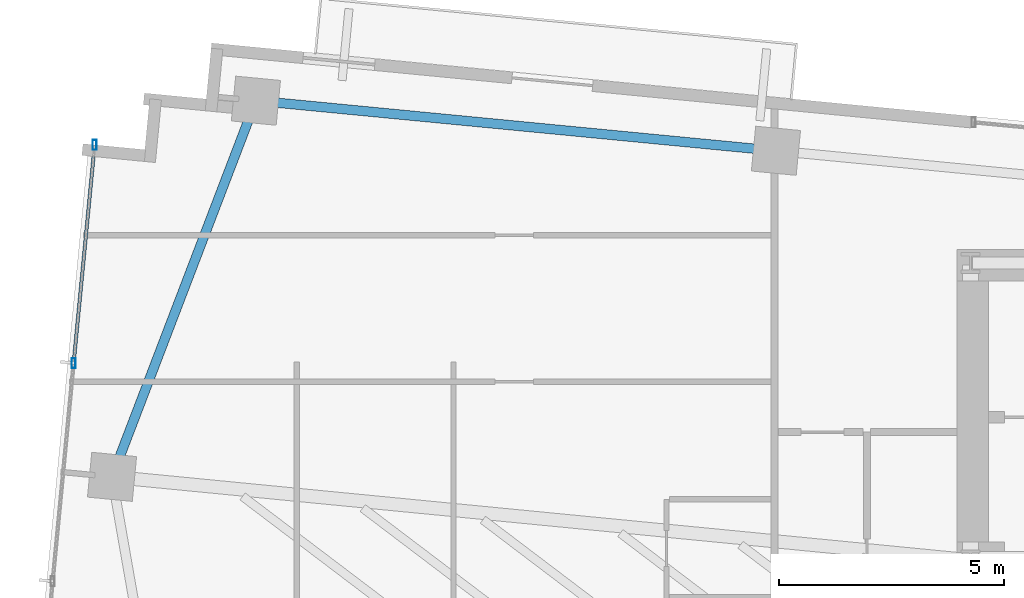
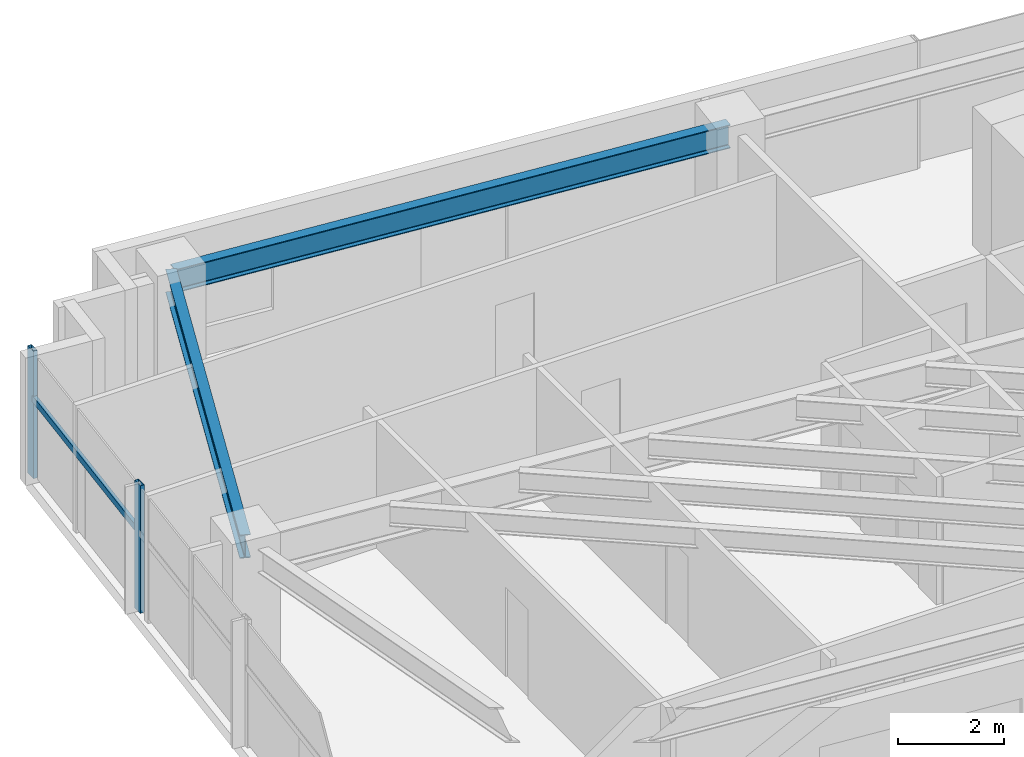
# One storey, part 6 of 19: 3 members, 2 beams, 1 element without a shape of its own.
"""IFC4 building model written with IfcOpenShell, lengths in metres."""

from ifc_helpers import new_model, si_unit, direction, frame, origin, origin_2d, place, context, subcontext, project, spatial, hollow_rectangle, i_section, extrude, source, transform, mapped, material, material_profile, profile_set, type_object, type_shapes, element, aggregate, save


model = new_model("IFC4")

# Units and contexts
model_context = context("Model", 3, precision=1e-05, world=origin(), true_north=direction((0.0, 1.0)))
body_context = subcontext(model_context, "Body", "Model", "MODEL_VIEW")
ifc_project = project(units=[si_unit("LENGTHUNIT", "METRE"), si_unit("AREAUNIT", "SQUARE_METRE"), si_unit("VOLUMEUNIT", "CUBIC_METRE"), si_unit("PLANEANGLEUNIT", "RADIAN"), si_unit("MASSUNIT", "GRAM", prefix="KILO")], contexts=[model_context])

# Site, building, storey
site_placement = place(None, origin())
site = spatial("IfcSite", under=ifc_project, at=site_placement, CompositionType="ELEMENT")
building_placement = place(site_placement, origin())
building = spatial("IfcBuilding", under=site, at=building_placement, Name="Astriad Promenade Condominiums", CompositionType="ELEMENT")
storey_placement = place(building_placement, frame((0.0, 0.0, 150.199951171875)))
storey = spatial("IfcBuildingStorey", under=building, at=storey_placement, Name="L43", CompositionType="ELEMENT", Elevation=150.199951171875)

# Beams
ifc_material_1 = material(Name="Steel ASTM A992 Grade 50", Category="steel")
ifc_material_profile_1 = material_profile(ifc_material_1, i_section(OverallWidth=0.210693359375, OverallDepth=0.53955078125, WebThickness=0.01171875, FlangeThickness=0.018798828125, FilletRadius=0.0166015625, at=origin_2d()), Name="W21X73")
ifc_profile_set_1 = profile_set([ifc_material_profile_1], Name="Steel ASTM A992 Grade 50")
beam_type = type_object("IfcBeamType", Name="STEEL SPANDREL BEAM W21X73", PredefinedType="SPANDREL", material=ifc_profile_set_1)
shared_shape_1 = source(origin(), body_context, "Body", "SweptSolid", [
    extrude(i_section(OverallWidth=0.210693359375, OverallDepth=0.53955078125, WebThickness=0.01171875, FlangeThickness=0.018798828125, FilletRadius=0.0166015625, at=origin_2d()), origin(), (0.0, 0.0, 1.0), 11.52001953125),
])
beam_1_placement = place(storey_placement, frame((22.039794921875, 26.495849609375, 2.670166015625), z_axis=(-0.9953953902, 0.095854145285, 0.0), x_axis=(-0.095854145285, -0.9953953902, 0.0)))
element("IfcBeam", 1, at=beam_1_placement, inside=storey, type_object=beam_type, Name="Perimeter Spandrel Beam SP-N1-L43", PredefinedType="SPANDREL", context=body_context, shape_type="MappedRepresentation", body=[
    mapped(shared_shape_1, transform((0.0, 0.0, 0.0), scale=1.0)),
])
shared_shape_2 = source(origin(), body_context, "Body", "SweptSolid", [
    extrude(i_section(OverallWidth=0.210693359375, OverallDepth=0.53955078125, WebThickness=0.01171875, FlangeThickness=0.018798828125, FilletRadius=0.0166015625, at=origin_2d()), origin(), (0.0, 0.0, 1.0), 8.862548828125),
])
type_shapes(beam_type, [shared_shape_1, shared_shape_2])
beam_2_placement = place(storey_placement, frame((10.518798828125, 27.56640625, 2.670166015625), z_axis=(-0.357322663703, -0.933981003021, 0.0), x_axis=(0.933981003021, -0.357322663703, 0.0)))
element("IfcBeam", 2, at=beam_2_placement, inside=storey, type_object=beam_type, Name="Perimeter Spandrel Beam SP-W2-L43", PredefinedType="SPANDREL", context=body_context, shape_type="MappedRepresentation", body=[
    mapped(shared_shape_2, transform((0.0, 0.0, 0.0), scale=1.0)),
])

# Curtain wall, members
ifc_material_2 = material(Name="Anodised aluminium Black Dark Glass Unitised", Category="aluminium")
curtain_wall_type = type_object("IfcCurtainWallType", Name="CW-B34-DARK", PredefinedType="USERDEFINED", material=ifc_material_2)
curtain_wall_placement = place(storey_placement, origin())
curtain_wall = element("IfcCurtainWall", 3, at=curtain_wall_placement, inside=storey, type_object=curtain_wall_type, Name="CW-L43-W", ObjectType="UNITISED_CURTAIN_WALL", PredefinedType="USERDEFINED")
ifc_material_3 = material(Name="Anodised aluminium 6063-T6 Black", Category="aluminium")
ifc_material_profile_2 = material_profile(ifc_material_3, hollow_rectangle(XDim=0.0849609375, YDim=0.219970703125, WallThickness=0.0048828125, at=origin_2d()), Name="ALU-MUL-85X220")
ifc_profile_set_2 = profile_set([ifc_material_profile_2], Name="Anodised aluminium 6063-T6 Black")
member_type_1 = type_object("IfcMemberType", Name="MUL-ALU-MUL-85X220", PredefinedType="MULLION", material=ifc_profile_set_2)
shared_shape_3 = source(origin(), body_context, "Body", "SweptSolid", [
    extrude(hollow_rectangle(XDim=0.0849609375, YDim=0.219970703125, WallThickness=0.0048828125, at=origin_2d()), origin(), (0.0, 0.0, 1.0), 2.93994140625),
])
type_shapes(member_type_1, [shared_shape_3])
member_1_placement = place(storey_placement, frame((6.486083984375, 21.7783203125, 0.0), z_axis=(0.0, 0.0, 1.0), x_axis=(1.0, 0.0, 0.0)))
member_1 = element("IfcMember", 4, at=member_1_placement, type_object=member_type_1, Name="CW-L43-W-MUL-02", PredefinedType="MULLION", context=body_context, shape_type="MappedRepresentation", body=[
    mapped(shared_shape_3, transform((0.0, 0.0, 0.0), scale=1.0)),
])
member_2_placement = place(storey_placement, frame((6.952392578125, 26.62255859375, 0.0), z_axis=(0.0, 0.0, 1.0), x_axis=(1.0, 0.0, 0.0)))
member_2 = element("IfcMember", 5, at=member_2_placement, type_object=member_type_1, Name="CW-L43-W-MUL-03", PredefinedType="MULLION", context=body_context, shape_type="MappedRepresentation", body=[
    mapped(shared_shape_3, transform((0.0, 0.0, 0.0), scale=1.0)),
])
ifc_material_profile_3 = material_profile(ifc_material_3, hollow_rectangle(XDim=0.074951171875, YDim=0.14990234375, WallThickness=0.004150390625, at=origin_2d()), Name="ALU-TRN-75X150")
ifc_profile_set_3 = profile_set([ifc_material_profile_3], Name="Anodised aluminium 6063-T6 Black")
member_type_2 = type_object("IfcMemberType", Name="TRN-ALU-TRN-75X150", PredefinedType="USERDEFINED", material=ifc_profile_set_3)
shared_shape_4 = source(origin(), body_context, "Body", "SweptSolid", [
    extrude(hollow_rectangle(XDim=0.074951171875, YDim=0.14990234375, WallThickness=0.004150390625, at=origin_2d()), origin(), (0.0, 0.0, 1.0), 4.86669921875),
])
type_shapes(member_type_2, [shared_shape_4])
member_3_placement = place(storey_placement, frame((6.486083984375, 21.7783203125, 1.82275390625), z_axis=(0.095817554883, 0.995398913088, 0.0), x_axis=(-0.995398913088, 0.095817554883, 0.0)))
member_3 = element("IfcMember", 6, at=member_3_placement, type_object=member_type_2, Name="CW-L43-W-TRN-02-0", ObjectType="TRANSOM", PredefinedType="USERDEFINED", context=body_context, shape_type="MappedRepresentation", body=[
    mapped(shared_shape_4, transform((0.0, 0.0, 0.0), scale=1.0)),
])
aggregate(curtain_wall, [member_1, member_2, member_3])

save(model, "model.ifc")
